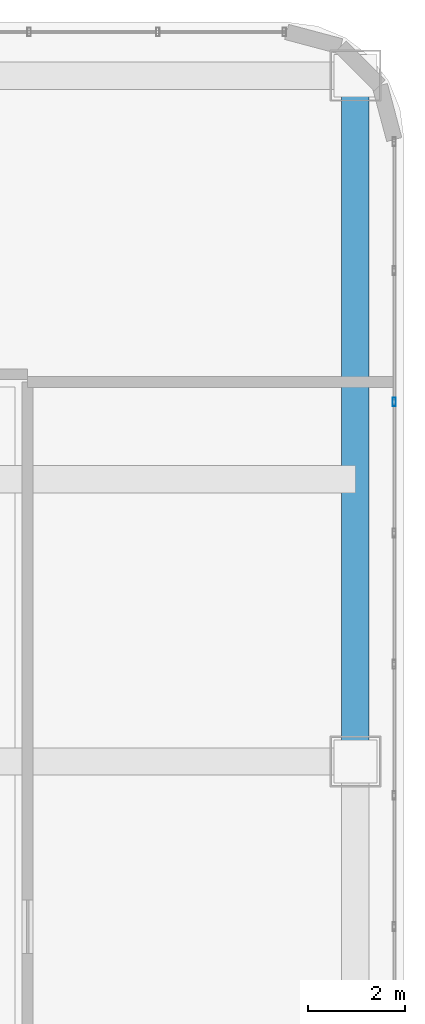
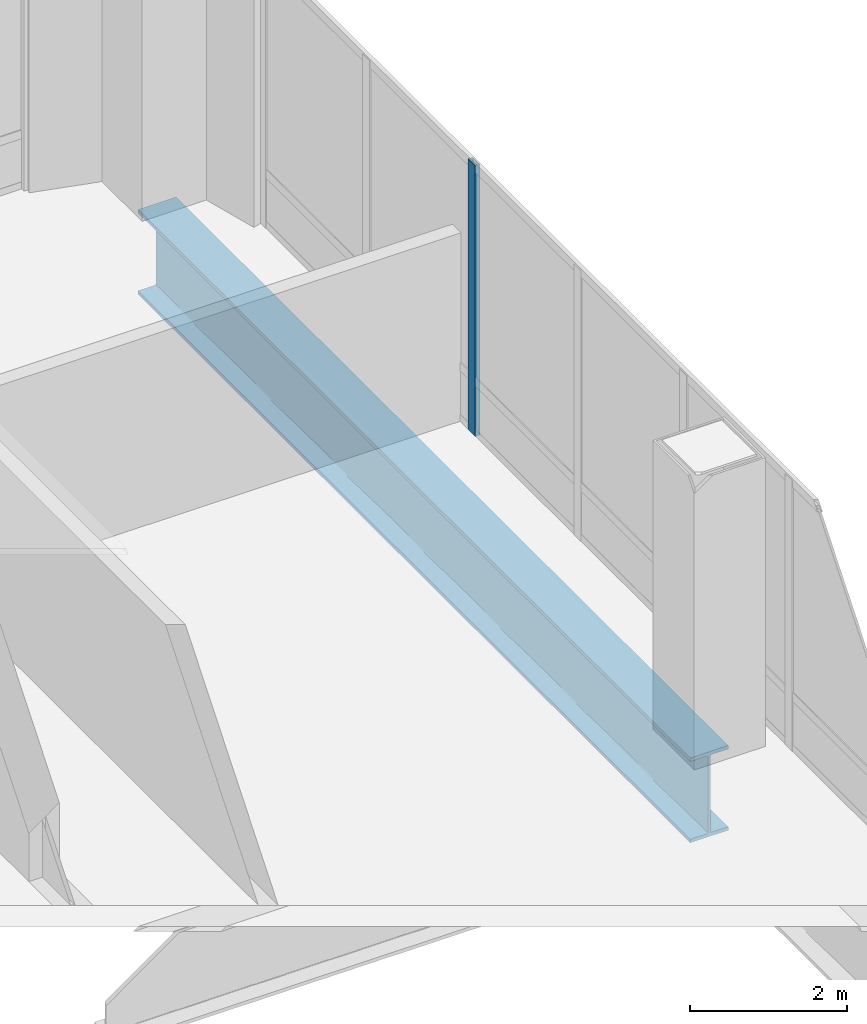
# One storey, part 19 of 33: 1 beam, 1 member, 1 element without a shape of its own.
"""IFC4 building model written with IfcOpenShell, lengths in metres."""

from ifc_helpers import new_model, si_unit, direction, frame, origin, origin_2d, place, context, subcontext, project, spatial, hollow_rectangle, i_section, extrude, material, material_profile, profile_set, type_object, element, aggregate, save


model = new_model("IFC4")

# Units and contexts
model_context = context("Model", 3, precision=1e-05, world=origin(), true_north=direction((0.0, 1.0)))
body_context = subcontext(model_context, "Body", "Model", "MODEL_VIEW")
ifc_project = project(units=[si_unit("LENGTHUNIT", "METRE"), si_unit("AREAUNIT", "SQUARE_METRE"), si_unit("VOLUMEUNIT", "CUBIC_METRE"), si_unit("PLANEANGLEUNIT", "RADIAN"), si_unit("MASSUNIT", "GRAM", prefix="KILO")], contexts=[model_context])

# Site, building, storey
site_placement = place(None, origin())
site = spatial("IfcSite", under=ifc_project, at=site_placement, CompositionType="ELEMENT")
building_placement = place(site_placement, origin())
building = spatial("IfcBuilding", under=site, at=building_placement, Name="Punatoya Terracotta Tower", CompositionType="ELEMENT")
storey_placement = place(building_placement, frame((0.0, 0.0, 348.300048828125)))
storey = spatial("IfcBuildingStorey", under=building, at=storey_placement, Name="L82", CompositionType="ELEMENT", Elevation=348.300048828125)

# Beam
ifc_material_1 = material(Name="Steel S460", Category="steel")
ifc_material_profile_1 = material_profile(ifc_material_1, i_section(OverallWidth=0.56005859375, OverallDepth=1.320068359375, WebThickness=0.035888671875, FlangeThickness=0.054931640625, FilletRadius=0.01806640625, at=origin_2d()))
ifc_profile_set_1 = profile_set([ifc_material_profile_1], Name="Steel S460")
beam_type = type_object("IfcBeamType", Name="BM-TG-BLK", PredefinedType="BEAM", material=ifc_profile_set_1)
beam_placement = place(storey_placement, frame((19.10009765625, 3.39990234375, -0.880126953125), z_axis=(0.0, 1.0, 0.0), x_axis=(-1.0, 0.0, 0.0)))
element("IfcBeam", 1, at=beam_placement, inside=storey, type_object=beam_type, Name="BM-L82-RG-E3", PredefinedType="BEAM", context=body_context, shape_type="SweptSolid", body=[
    extrude(i_section(OverallWidth=0.56005859375, OverallDepth=1.320068359375, WebThickness=0.035888671875, FlangeThickness=0.054931640625, FilletRadius=0.01806640625, at=origin_2d()), origin(), (0.0, 0.0, 1.0), 14.10009765625),
])

# Curtain wall, member
ifc_material_2 = material(Name="Aluminium 6063-T6 + Double Low-E Glass", Category="aluminium")
curtain_wall_type = type_object("IfcCurtainWallType", Name="CW-CRN", PredefinedType="NOTDEFINED", material=ifc_material_2)
curtain_wall_placement = place(storey_placement, origin())
curtain_wall = element("IfcCurtainWall", 2, at=curtain_wall_placement, inside=storey, type_object=curtain_wall_type, Name="L82 Curtain Wall CW-L82-E05-1", PredefinedType="NOTDEFINED")
ifc_material_3 = material(Name="Aluminium 6063-T6", Category="aluminium")
ifc_material_profile_2 = material_profile(ifc_material_3, hollow_rectangle(XDim=0.070068359375, YDim=0.179931640625, WallThickness=0.00390625, at=origin_2d()))
ifc_profile_set_2 = profile_set([ifc_material_profile_2], Name="Aluminium 6063-T6")
member_type = type_object("IfcMemberType", Name="CW-MUL-M3", PredefinedType="MULLION", material=ifc_profile_set_2)
member_placement = place(storey_placement, frame((19.89990234375, 10.791259765625, 0.0), z_axis=(0.0, 0.0, 1.0), x_axis=(1.0, 0.0, 0.0)))
member = element("IfcMember", 3, at=member_placement, type_object=member_type, Name="CW-L82-E05-1 Mullion 10", PredefinedType="MULLION", context=body_context, shape_type="SweptSolid", body=[
    extrude(hollow_rectangle(XDim=0.070068359375, YDim=0.179931640625, WallThickness=0.00390625, at=origin_2d()), origin(), (0.0, 0.0, 1.0), 4.219970703125),
])
aggregate(curtain_wall, [member])

save(model, "model.ifc")
